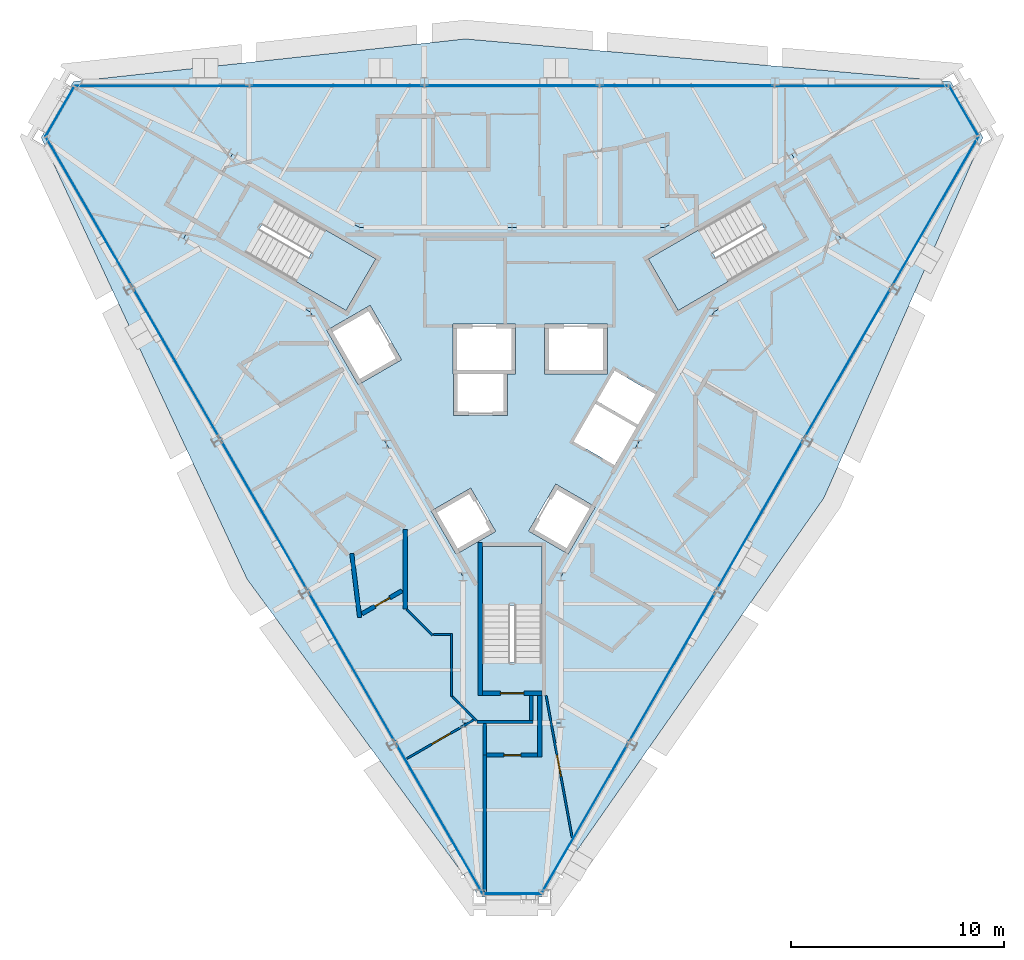
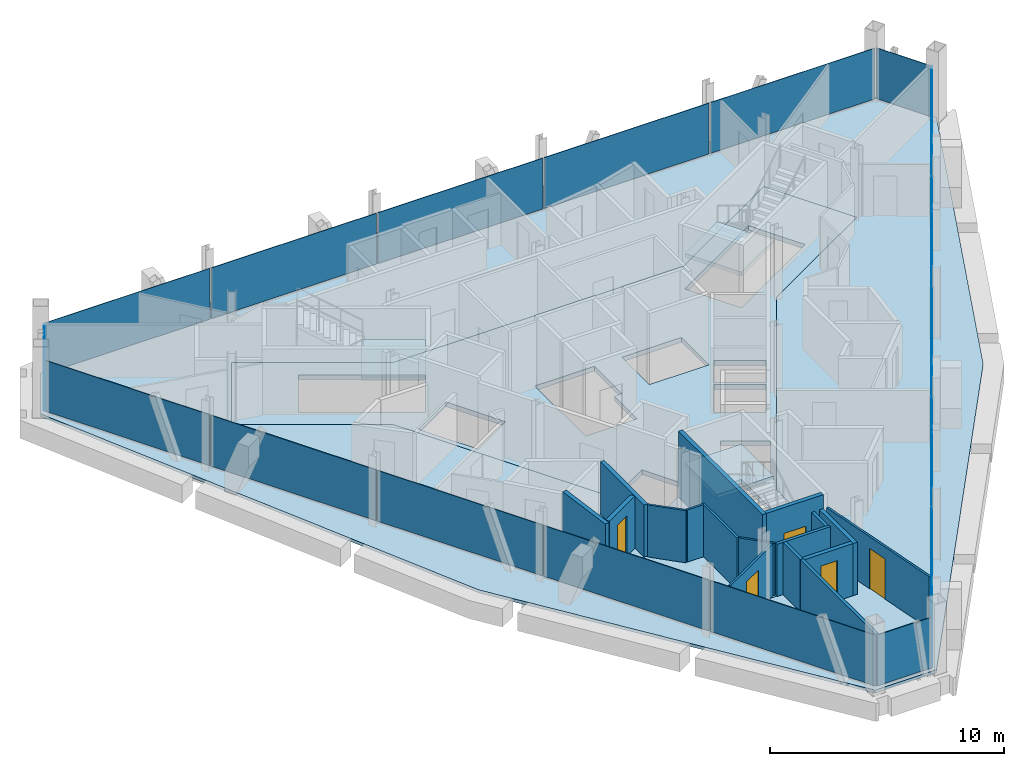
# One storey, part 7 of 13: 18 plates, 17 walls, 5 doors, 5 slabs, 5 openings, 9 elements without a shape of their own.
"""IFC4 building model written with IfcOpenShell, lengths in metres."""

from ifc_helpers import new_model, si_unit, direction, frame, frame_2d, origin, origin_2d, place, context, subcontext, project, spatial, polyline, rectangle, outline, extrude, material, layer, layer_set, type_object, element, fill, aggregate, save


model = new_model("IFC4")

# Units and contexts
model_context = context("Model", 3, precision=1e-05, world=origin(), true_north=direction((0.0, 1.0)))
body_context = subcontext(model_context, "Body", "Model", "MODEL_VIEW")
ifc_project = project(units=[si_unit("LENGTHUNIT", "METRE"), si_unit("AREAUNIT", "SQUARE_METRE"), si_unit("VOLUMEUNIT", "CUBIC_METRE"), si_unit("PLANEANGLEUNIT", "RADIAN"), si_unit("MASSUNIT", "GRAM", prefix="KILO")], contexts=[model_context])

# Site, building, storey
site_placement = place(None, origin())
site = spatial("IfcSite", under=ifc_project, at=site_placement, CompositionType="ELEMENT")
building_placement = place(site_placement, origin())
building = spatial("IfcBuilding", under=site, at=building_placement, Name="Verrane Prism Tower", CompositionType="ELEMENT")
storey_placement = place(building_placement, frame((0.0, 0.0, 289.89990234375)))
storey = spatial("IfcBuildingStorey", under=building, at=storey_placement, Name="L73", CompositionType="ELEMENT", Elevation=289.89990234375)

# Slabs
ifc_material_1 = material(Name="Concrete C35/45", Category="concrete")
ifc_layer_1 = layer(ifc_material_1, 0.159912109375)
ifc_layer_set_1 = layer_set([ifc_layer_1], Name="Composite floor slab")
slab_type_1 = type_object("IfcSlabType", Name="Composite floor slab", PredefinedType="FLOOR", material=ifc_layer_set_1)
slab_1_placement = place(storey_placement, frame((0.0, 0.0, -0.159912109375)))
element("IfcSlab", 1, at=slab_1_placement, inside=storey, type_object=slab_type_1, Name="Floor slab L73", PredefinedType="FLOOR", context=body_context, shape_type="SweptSolid", body=[
    extrude(outline(polyline([(14.652099609375, -5.921630859375), (1.51904296875, -24.6689453125), (-1.51904296875, -24.6689453125), (-12.454345703125, -9.728515625), (-22.12353515625, 11.01904296875), (-20.6044921875, 13.64990234375), (-2.19775390625, 15.64990234375), (20.6044921875, 13.64990234375), (22.12353515625, 11.01904296875), (14.652099609375, -5.921630859375)]), holes=[polyline([(15.43994140625, 6.260009765625), (13.139892578125, 10.239990234375), (7.179931640625, 6.800048828125), (0.0, 6.800048828125), (-7.179931640625, 6.800048828125), (-13.139892578125, 10.239990234375), (-15.43994140625, 6.260009765625), (-9.47998046875, 2.820068359375), (-5.889892578125, -3.39990234375), (-2.300048828125, -9.6201171875), (-2.300048828125, -16.5), (2.300048828125, -16.5), (2.300048828125, -9.6201171875), (5.889892578125, -3.39990234375), (9.47998046875, 2.820068359375), (15.43994140625, 6.260009765625)])]), origin(), (0.0, 0.0, 1.0), 0.159912109375),
])
ifc_material_2 = material(Name="Concrete C40/50", Category="concrete")
ifc_layer_2 = layer(ifc_material_2, 0.25)
ifc_layer_set_2 = layer_set([ifc_layer_2], Name="Core floor slab 250 concrete C40/50")
slab_type_2 = type_object("IfcSlabType", Name="Core floor slab 250 concrete C40/50", PredefinedType="FLOOR", material=ifc_layer_set_2)
slab_2_placement = place(storey_placement, frame((0.0, 0.0, -0.25)))
element("IfcSlab", 2, at=slab_2_placement, inside=storey, type_object=slab_type_2, Name="Core floor L73", PredefinedType="FLOOR", context=body_context, shape_type="SweptSolid", body=[
    extrude(outline(polyline([(9.47998046875, 2.820068359375), (15.43994140625, 6.260009765625), (13.139892578125, 10.239990234375), (7.179931640625, 6.800048828125), (0.0, 6.800048828125), (-7.179931640625, 6.800048828125), (-13.139892578125, 10.239990234375), (-15.43994140625, 6.260009765625), (-9.47998046875, 2.820068359375), (-5.889892578125, -3.39990234375), (-2.300048828125, -9.6201171875), (-2.300048828125, -16.5), (2.300048828125, -16.5), (2.300048828125, -9.6201171875), (5.889892578125, -3.39990234375), (9.47998046875, 2.820068359375)]), holes=[polyline([(-1.39990234375, -8.199951171875), (1.39990234375, -8.199951171875), (1.39990234375, -13.639892578125), (-1.39990234375, -13.639892578125), (-1.39990234375, -8.199951171875)]), polyline([(-0.76708984375, -7.491943359375), (-2.62890625, -8.56689453125), (-3.803955078125, -6.531982421875), (-1.94189453125, -5.45703125), (-0.76708984375, -7.491943359375)]), polyline([(3.9140625, -6.341064453125), (2.638916015625, -8.550048828125), (0.777099609375, -7.47509765625), (2.052001953125, -5.26611328125), (3.9140625, -6.341064453125)]), polyline([(4.81494140625, -4.37890625), (2.888916015625, -3.26708984375), (3.9130859375, -1.490966796875), (5.841064453125, -2.60302734375), (4.81494140625, -4.37890625)]), polyline([(6.739990234375, -1.044921875), (5.916015625, -2.47412109375), (3.988037109375, -1.361083984375), (4.81396484375, 0.06689453125), (6.739990234375, -1.044921875)]), polyline([(-2.784912109375, -0.10009765625), (-2.784912109375, 2.25), (0.1650390625, 2.25), (0.1650390625, -0.10009765625), (-0.205078125, -0.10009765625), (-0.205078125, -2.050048828125), (-2.7548828125, -2.050048828125), (-2.7548828125, -0.10009765625), (-2.784912109375, -0.10009765625)]), polyline([(4.47509765625, 2.25), (4.47509765625, -0.10009765625), (1.52490234375, -0.10009765625), (1.52490234375, 2.25), (4.47509765625, 2.25)]), polyline([(-8.7041015625, 1.955078125), (-6.66796875, 3.1298828125), (-5.193115234375, 0.574951171875), (-7.22900390625, -0.60009765625), (-8.7041015625, 1.955078125)]), polyline([(-7.801025390625, 2.887939453125), (-12.512939453125, 5.60791015625), (-11.113037109375, 8.031982421875), (-6.40087890625, 5.31201171875), (-7.801025390625, 2.887939453125)]), polyline([(6.40087890625, 5.31201171875), (11.113037109375, 8.031982421875), (12.512939453125, 5.60791015625), (7.801025390625, 2.887939453125), (6.40087890625, 5.31201171875)])]), origin(), (0.0, 0.0, 1.0), 0.25),
])

# Curtain wall, plate
ifc_material_3 = material(Name="Aluminium framed insulated glazing", Category="aluminium")
curtain_wall_type = type_object("IfcCurtainWallType", Name="Curtain wall CW-A 8400 module", PredefinedType="NOTDEFINED", material=ifc_material_3)
curtain_wall_1_placement = place(storey_placement, origin())
curtain_wall_1 = element("IfcCurtainWall", 3, at=curtain_wall_1_placement, inside=storey, type_object=curtain_wall_type, Name="Glazed curtain wall north-east corner L73", PredefinedType="NOTDEFINED")
ifc_material_4 = material(Name="Low-iron insulating glass unit", Category="glass")
ifc_layer_3 = layer(ifc_material_4, 0.031982421875)
ifc_layer_set_3 = layer_set([ifc_layer_3], Name="Glazing panel IGU 32")
plate_type_1 = type_object("IfcPlateType", Name="Glazing panel IGU 32", PredefinedType="CURTAIN_PANEL", material=ifc_layer_set_3)
plate_1_placement = place(storey_placement, frame((21.21484375, 12.288818359375, 0.0703125), z_axis=(0.0, 0.0, 1.0), x_axis=(-0.500002040855, 0.866024225493, 0.0)))
plate_1 = element("IfcPlate", 4, at=plate_1_placement, type_object=plate_type_1, Name="CW72.1 panel 1", PredefinedType="CURTAIN_PANEL", context=body_context, shape_type="SweptSolid", body=[
    extrude(rectangle(XDim=2.67529296875, YDim=0.031982421875, at=origin_2d()), origin(), (0.0, 0.0, 1.0), 2.653076171875),
])
aggregate(curtain_wall_1, [plate_1])

# Curtain wall, plates
curtain_wall_2_placement = place(storey_placement, origin())
curtain_wall_2 = element("IfcCurtainWall", 5, at=curtain_wall_2_placement, inside=storey, type_object=curtain_wall_type, Name="Glazed curtain wall north face L73", PredefinedType="NOTDEFINED")
plate_2_placement = place(storey_placement, frame((8.218505859375, 13.447265625, 0.0703125), z_axis=(0.0, 0.0, 1.0), x_axis=(-1.0, 0.0, 0.0)))
plate_2 = element("IfcPlate", 6, at=plate_2_placement, type_object=plate_type_1, Name="CW72.2 panel 2", PredefinedType="CURTAIN_PANEL", context=body_context, shape_type="SweptSolid", body=[
    extrude(rectangle(XDim=8.1484375, YDim=0.031982421875, at=origin_2d()), origin(), (0.0, 0.0, 1.0), 2.653076171875),
])
plate_3_placement = place(storey_placement, frame((0.0, 13.447265625, 0.0703125), z_axis=(0.0, 0.0, 1.0), x_axis=(-1.0, 0.0, 0.0)))
plate_3 = element("IfcPlate", 7, at=plate_3_placement, type_object=plate_type_1, Name="CW72.2 panel 3", PredefinedType="CURTAIN_PANEL", context=body_context, shape_type="SweptSolid", body=[
    extrude(rectangle(XDim=8.1484375, YDim=0.031982421875, at=origin_2d()), origin(), (0.0, 0.0, 1.0), 2.653076171875),
])
plate_4_placement = place(storey_placement, frame((-8.218505859375, 13.447265625, 0.0703125), z_axis=(0.0, 0.0, 1.0), x_axis=(-1.0, 0.0, 0.0)))
plate_4 = element("IfcPlate", 8, at=plate_4_placement, type_object=plate_type_1, Name="CW72.2 panel 4", PredefinedType="CURTAIN_PANEL", context=body_context, shape_type="SweptSolid", body=[
    extrude(rectangle(XDim=8.1484375, YDim=0.031982421875, at=origin_2d()), origin(), (0.0, 0.0, 1.0), 2.653076171875),
])

# Curtain wall, plate
curtain_wall_3_placement = place(storey_placement, origin())
curtain_wall_3 = element("IfcCurtainWall", 9, at=curtain_wall_3_placement, inside=storey, type_object=curtain_wall_type, Name="Glazed curtain wall north-west corner L73", PredefinedType="NOTDEFINED")
plate_5_placement = place(storey_placement, frame((-21.25, 12.228271484375, 0.0703125), z_axis=(0.0, 0.0, 1.0), x_axis=(-0.500002040855, -0.866024225493, 0.0)))
plate_5 = element("IfcPlate", 10, at=plate_5_placement, type_object=plate_type_1, Name="CW72.3 panel 1", PredefinedType="CURTAIN_PANEL", context=body_context, shape_type="SweptSolid", body=[
    extrude(rectangle(XDim=2.67529296875, YDim=0.031982421875, at=origin_2d()), origin(), (0.0, 0.0, 1.0), 2.653076171875),
])
aggregate(curtain_wall_3, [plate_5])

# Curtain wall, plates
curtain_wall_4_placement = place(storey_placement, origin())
curtain_wall_4 = element("IfcCurtainWall", 11, at=curtain_wall_4_placement, inside=storey, type_object=curtain_wall_type, Name="Glazed curtain wall south-west face L73", PredefinedType="NOTDEFINED")
plate_6_placement = place(storey_placement, frame((-19.855224609375, 7.495849609375, 0.0703125), z_axis=(0.0, 0.0, 1.0), x_axis=(0.500000938868, -0.866024861728, 0.0)))
plate_6 = element("IfcPlate", 12, at=plate_6_placement, type_object=plate_type_1, Name="CW72.4 panel 1", PredefinedType="CURTAIN_PANEL", context=body_context, shape_type="SweptSolid", body=[
    extrude(rectangle(XDim=8.113525390625, YDim=0.031982421875, at=origin_2d()), origin(), (0.0, 0.0, 1.0), 2.653076171875),
])
plate_7_placement = place(storey_placement, frame((-15.7548828125, 0.393798828125, 0.0703125), z_axis=(0.0, 0.0, 1.0), x_axis=(0.500000938868, -0.866024861728, 0.0)))
plate_7 = element("IfcPlate", 13, at=plate_7_placement, type_object=plate_type_1, Name="CW72.4 panel 2", PredefinedType="CURTAIN_PANEL", context=body_context, shape_type="SweptSolid", body=[
    extrude(rectangle(XDim=8.1484375, YDim=0.031982421875, at=origin_2d()), origin(), (0.0, 0.0, 1.0), 2.653076171875),
])
plate_8_placement = place(storey_placement, frame((-11.645751953125, -6.7236328125, 0.0703125), z_axis=(0.0, 0.0, 1.0), x_axis=(0.500000938868, -0.866024861728, 0.0)))
plate_8 = element("IfcPlate", 14, at=plate_8_placement, type_object=plate_type_1, Name="CW72.4 panel 3", PredefinedType="CURTAIN_PANEL", context=body_context, shape_type="SweptSolid", body=[
    extrude(rectangle(XDim=8.1484375, YDim=0.031982421875, at=origin_2d()), origin(), (0.0, 0.0, 1.0), 2.653076171875),
])
plate_9_placement = place(storey_placement, frame((-7.536376953125, -13.841064453125, 0.0703125), z_axis=(0.0, 0.0, 1.0), x_axis=(0.500000938868, -0.866024861728, 0.0)))
plate_9 = element("IfcPlate", 15, at=plate_9_placement, type_object=plate_type_1, Name="CW72.4 panel 4", PredefinedType="CURTAIN_PANEL", context=body_context, shape_type="SweptSolid", body=[
    extrude(rectangle(XDim=8.1484375, YDim=0.031982421875, at=origin_2d()), origin(), (0.0, 0.0, 1.0), 2.653076171875),
])
plate_10_placement = place(storey_placement, frame((-3.41845703125, -20.973388671875, 0.0703125), z_axis=(0.0, 0.0, 1.0), x_axis=(0.500000938868, -0.866024861728, 0.0)))
plate_10 = element("IfcPlate", 16, at=plate_10_placement, type_object=plate_type_1, Name="CW72.4 panel 5", PredefinedType="CURTAIN_PANEL", context=body_context, shape_type="SweptSolid", body=[
    extrude(rectangle(XDim=8.183349609375, YDim=0.031982421875, at=origin_2d()), origin(), (0.0, 0.0, 1.0), 2.653076171875),
])
aggregate(curtain_wall_4, [plate_6, plate_7, plate_8, plate_9, plate_10])

# Curtain wall, plate
curtain_wall_5_placement = place(storey_placement, origin())
curtain_wall_5 = element("IfcCurtainWall", 17, at=curtain_wall_5_placement, inside=storey, type_object=curtain_wall_type, Name="Glazed curtain wall south corner L73", PredefinedType="NOTDEFINED")
plate_11_placement = place(storey_placement, frame((0.034912109375, -24.51708984375, 0.0703125), z_axis=(0.0, 0.0, 1.0), x_axis=(1.0, 0.0, 0.0)))
plate_11 = element("IfcPlate", 18, at=plate_11_placement, type_object=plate_type_1, Name="CW72.5 panel 1", PredefinedType="CURTAIN_PANEL", context=body_context, shape_type="SweptSolid", body=[
    extrude(rectangle(XDim=2.67529296875, YDim=0.031982421875, at=origin_2d()), origin(), (0.0, 0.0, 1.0), 2.653076171875),
])
aggregate(curtain_wall_5, [plate_11])

# Curtain wall, plates
curtain_wall_6_placement = place(storey_placement, origin())
curtain_wall_6 = element("IfcCurtainWall", 19, at=curtain_wall_6_placement, inside=storey, type_object=curtain_wall_type, Name="Glazed curtain wall south-east face L73", PredefinedType="NOTDEFINED")
plate_12_placement = place(storey_placement, frame((7.536376953125, -13.841064453125, 0.0703125), z_axis=(0.0, 0.0, 1.0), x_axis=(0.500000938868, 0.866024861728, 0.0)))
plate_12 = element("IfcPlate", 20, at=plate_12_placement, type_object=plate_type_1, Name="CW72.6 panel 2", PredefinedType="CURTAIN_PANEL", context=body_context, shape_type="SweptSolid", body=[
    extrude(rectangle(XDim=8.1484375, YDim=0.031982421875, at=origin_2d()), origin(), (0.0, 0.0, 1.0), 2.653076171875),
])
plate_13_placement = place(storey_placement, frame((11.645751953125, -6.7236328125, 0.0703125), z_axis=(0.0, 0.0, 1.0), x_axis=(0.500000938868, 0.866024861728, 0.0)))
plate_13 = element("IfcPlate", 21, at=plate_13_placement, type_object=plate_type_1, Name="CW72.6 panel 3", PredefinedType="CURTAIN_PANEL", context=body_context, shape_type="SweptSolid", body=[
    extrude(rectangle(XDim=8.1484375, YDim=0.031982421875, at=origin_2d()), origin(), (0.0, 0.0, 1.0), 2.653076171875),
])
plate_14_placement = place(storey_placement, frame((15.7548828125, 0.393798828125, 0.0703125), z_axis=(0.0, 0.0, 1.0), x_axis=(0.500000938868, 0.866024861728, 0.0)))
plate_14 = element("IfcPlate", 22, at=plate_14_placement, type_object=plate_type_1, Name="CW72.6 panel 4", PredefinedType="CURTAIN_PANEL", context=body_context, shape_type="SweptSolid", body=[
    extrude(rectangle(XDim=8.1484375, YDim=0.031982421875, at=origin_2d()), origin(), (0.0, 0.0, 1.0), 2.653076171875),
])
plate_15_placement = place(storey_placement, frame((19.872802734375, 7.5263671875, 0.0703125), z_axis=(0.0, 0.0, 1.0), x_axis=(0.500000938868, 0.866024861728, 0.0)))
plate_15 = element("IfcPlate", 23, at=plate_15_placement, type_object=plate_type_1, Name="CW72.6 panel 5", PredefinedType="CURTAIN_PANEL", context=body_context, shape_type="SweptSolid", body=[
    extrude(rectangle(XDim=8.183349609375, YDim=0.031982421875, at=origin_2d()), origin(), (0.0, 0.0, 1.0), 2.653076171875),
])

# Stair, slab
ifc_material_5 = material(Name="Concrete C40/50", Category="concrete")
stair_type = type_object("IfcStairType", Name="Exit stair 1300 dog-leg precast concrete C40/50", PredefinedType="HALF_TURN_STAIR", material=ifc_material_5)
stair_1_placement = place(storey_placement, origin())
stair_1 = element("IfcStair", 24, at=stair_1_placement, inside=storey, type_object=stair_type, Name="Stair 1 L73", PredefinedType="HALF_TURN_STAIR")
ifc_material_6 = material(Name="Concrete C40/50", Category="concrete")
ifc_layer_4 = layer(ifc_material_6, 0.199951171875)
ifc_layer_set_4 = layer_set([ifc_layer_4], Name="Stair landing 200 precast concrete C40/50")
slab_type_3 = type_object("IfcSlabType", Name="Stair landing 200 precast concrete C40/50", PredefinedType="LANDING", material=ifc_layer_set_4)
slab_3_placement = place(storey_placement, frame((0.0, 0.0, 1.650146484375)))
slab_3 = element("IfcSlab", 25, at=slab_3_placement, type_object=slab_type_3, Name="Stair 1 landing 1", PredefinedType="LANDING", context=body_context, shape_type="SweptSolid", body=[
    extrude(outline(polyline([(8.791748046875, 6.6923828125), (6.4013671875, 5.3125), (7.801513671875, 2.887451171875), (10.191650390625, 4.267578125), (8.791748046875, 6.6923828125)])), origin(), (0.0, 0.0, 1.0), 0.199951171875),
])
aggregate(stair_1, [slab_3])

stair_2_placement = place(storey_placement, origin())
stair_2 = element("IfcStair", 26, at=stair_2_placement, inside=storey, type_object=stair_type, Name="Stair 2 L73", PredefinedType="HALF_TURN_STAIR")
slab_4_placement = place(storey_placement, frame((0.0, 0.0, 1.650146484375)))
slab_4 = element("IfcSlab", 27, at=slab_4_placement, type_object=slab_type_3, Name="Stair 2 landing 1", PredefinedType="LANDING", context=body_context, shape_type="SweptSolid", body=[
    extrude(outline(polyline([(-10.191650390625, 4.267578125), (-7.801513671875, 2.887451171875), (-6.4013671875, 5.3125), (-8.791748046875, 6.6923828125), (-10.191650390625, 4.267578125)])), origin(), (0.0, 0.0, 1.0), 0.199951171875),
])
aggregate(stair_2, [slab_4])

stair_3_placement = place(storey_placement, origin())
stair_3 = element("IfcStair", 28, at=stair_3_placement, inside=storey, type_object=stair_type, Name="Stair 3 L73", PredefinedType="HALF_TURN_STAIR")
slab_5_placement = place(storey_placement, frame((0.0, 0.0, 1.650146484375)))
slab_5 = element("IfcSlab", 29, at=slab_5_placement, type_object=slab_type_3, Name="Stair 3 landing 1", PredefinedType="LANDING", context=body_context, shape_type="SweptSolid", body=[
    extrude(outline(polyline([(1.39990234375, -10.9599609375), (1.39990234375, -8.199951171875), (-1.39990234375, -8.199951171875), (-1.39990234375, -10.9599609375), (1.39990234375, -10.9599609375)])), origin(), (0.0, 0.0, 1.0), 0.199951171875),
])
aggregate(stair_3, [slab_5])

# Plate
ifc_material_7 = material(Name="Warm limestone cladding", Category="masonry")
ifc_layer_5 = layer(ifc_material_7, 0.028076171875)
ifc_layer_set_5 = layer_set([ifc_layer_5], Name="Stone-faced spandrel panel 28")
plate_type_2 = type_object("IfcPlateType", Name="Stone-faced spandrel panel 28", PredefinedType="CURTAIN_PANEL", material=ifc_layer_set_5)
plate_16_placement = place(storey_placement, frame((16.41943359375, 13.447265625, 0.0703125), z_axis=(0.0, 0.0, 1.0), x_axis=(-1.0, 0.0, 0.0)))
plate_16 = element("IfcPlate", 30, at=plate_16_placement, type_object=plate_type_2, Name="CW72.2 panel 1", PredefinedType="CURTAIN_PANEL", context=body_context, shape_type="SweptSolid", body=[
    extrude(rectangle(XDim=8.113525390625, YDim=0.028076171875, at=origin_2d()), origin(), (0.0, 0.0, 1.0), 2.653076171875),
])

plate_17_placement = place(storey_placement, frame((-16.454345703125, 13.447265625, 0.0703125), z_axis=(0.0, 0.0, 1.0), x_axis=(-1.0, 0.0, 0.0)))
plate_17 = element("IfcPlate", 31, at=plate_17_placement, type_object=plate_type_2, Name="CW72.2 panel 5", PredefinedType="CURTAIN_PANEL", context=body_context, shape_type="SweptSolid", body=[
    extrude(rectangle(XDim=8.183349609375, YDim=0.028076171875, at=origin_2d()), origin(), (0.0, 0.0, 1.0), 2.653076171875),
])

aggregate(curtain_wall_2, [plate_16, plate_2, plate_3, plate_4, plate_17])

plate_18_placement = place(storey_placement, frame((3.43603515625, -20.943115234375, 0.0703125), z_axis=(0.0, 0.0, 1.0), x_axis=(0.500000938868, 0.866024861728, 0.0)))
plate_18 = element("IfcPlate", 32, at=plate_18_placement, type_object=plate_type_2, Name="CW72.6 panel 1", PredefinedType="CURTAIN_PANEL", context=body_context, shape_type="SweptSolid", body=[
    extrude(rectangle(XDim=8.113525390625, YDim=0.028076171875, at=origin_2d()), origin(), (0.0, 0.0, 1.0), 2.653076171875),
])

aggregate(curtain_wall_6, [plate_18, plate_12, plate_13, plate_14, plate_15])

# Wall, opening, door
ifc_material_8 = material(Name="Concrete C40/50", Category="concrete")
ifc_layer_6 = layer(ifc_material_8, 0.199951171875)
ifc_layer_set_6 = layer_set([ifc_layer_6], Name="CW-200 stair core wall concrete C40/50 3 h")
wall_type_1 = type_object("IfcWallType", Name="CW-200 stair core wall concrete C40/50 3 h", PredefinedType="PARTITIONING", material=ifc_layer_set_6)
wall_1_placement = place(storey_placement, frame((-1.39990234375, -15.10009765625, 0.0), z_axis=(0.0, 0.0, 1.0), x_axis=(1.0, 0.0, 0.0)))
wall_1 = element("IfcWall", 33, at=wall_1_placement, inside=storey, type_object=wall_type_1, Name="Stair 3 enclosure wall", PredefinedType="PARTITIONING", context=body_context, shape_type="SweptSolid", body=[
    extrude(rectangle(XDim=2.7998046875, YDim=0.199951171875, at=frame_2d((1.39990234375, 0.0))), origin(), (0.0, 0.0, 1.0), 3.4501953125),
])
opening_1_placement = place(wall_1_placement, frame((0.85009765625, 0.0, 0.0)))
opening_1 = element("IfcOpeningElement", 34, at=opening_1_placement, cuts=wall_1, Name="Opening D72502", PredefinedType="OPENING", context=body_context, shape_type="SweptSolid", body=[
    extrude(rectangle(XDim=1.10009765625, YDim=2.10009765625, at=frame_2d((0.550048828125, 1.050048828125))), frame((0.0, 0.10986328125, 0.0), z_axis=(0.0, -1.0, 0.0), x_axis=(1.0, 0.0, 0.0)), (0.0, 0.0, 1.0), 0.219970703125),
])
ifc_material_9 = material(Name="Timber veneered door leaf", Category="wood")
door_type_1 = type_object("IfcDoorType", Name="DR-1100x2100 FD90 single leaf stair", OperationType="NOTDEFINED", PredefinedType="DOOR", material=ifc_material_9)
door_1_placement = place(opening_1_placement, origin())
door_1 = element("IfcDoor", 35, at=door_1_placement, inside=storey, type_object=door_type_1, Name="Stair 3 door", OperationType="SINGLE_SWING_LEFT", OverallHeight=2.10009765625, OverallWidth=1.10009765625, PredefinedType="DOOR", context=body_context, shape_type="SweptSolid", body=[
    extrude(rectangle(XDim=1.10009765625, YDim=2.10009765625, at=frame_2d((0.550048828125, 1.050048828125))), frame((0.0, 0.02490234375, 0.0), z_axis=(0.0, -1.0, 0.0), x_axis=(1.0, 0.0, 0.0)), (0.0, 0.0, 1.0), 0.050048828125),
])
fill(opening_1, door_1)

# Walls
wall_2_placement = place(storey_placement, frame((-1.5, -8.0, 0.0), z_axis=(0.0, 0.0, 1.0), x_axis=(0.0, -1.0, 0.0)))
element("IfcWall", 36, at=wall_2_placement, inside=storey, type_object=wall_type_1, Name="Stair 3 enclosure wall", PredefinedType="PARTITIONING", context=body_context, shape_type="SweptSolid", body=[
    extrude(rectangle(XDim=7.199951171875, YDim=0.199951171875, at=frame_2d((3.60009765625, 0.0))), origin(), (0.0, 0.0, 1.0), 3.4501953125),
])
ifc_material_10 = material(Name="Gypsum board partition", Category="other")
ifc_layer_7 = layer(ifc_material_10, 0.10009765625)
ifc_layer_set_7 = layer_set([ifc_layer_7], Name="PW-100 room partition")
wall_type_2 = type_object("IfcWallType", Name="PW-100 room partition", PredefinedType="PARTITIONING", material=ifc_layer_set_7)
wall_3_placement = place(storey_placement, frame((-4.94482421875, -11.163330078125, 0.0), z_axis=(0.0, 0.0, 1.0), x_axis=(0.707178051335, -0.707035503854, 0.0)))
element("IfcWall", 37, at=wall_3_placement, inside=storey, type_object=wall_type_2, Name="Room partition 028", PredefinedType="PARTITIONING", context=body_context, shape_type="SweptSolid", body=[
    extrude(rectangle(XDim=1.712646484375, YDim=0.10009765625, at=frame_2d((0.8564453125, 0.0))), origin(), (0.0, 0.0, 1.0), 2.72314453125),
])

# Wall, opening, door
wall_4_placement = place(storey_placement, frame((-1.79345703125, -16.345703125, 0.0), z_axis=(0.0, 0.0, 1.0), x_axis=(-0.86592535605, -0.500173247735, 0.0)))
wall_4 = element("IfcWall", 38, at=wall_4_placement, inside=storey, type_object=wall_type_2, Name="Room partition 029", PredefinedType="PARTITIONING", context=body_context, shape_type="SweptSolid", body=[
    extrude(rectangle(XDim=3.625244140625, YDim=0.10009765625, at=frame_2d((1.8125, 0.0))), origin(), (0.0, 0.0, 1.0), 2.72314453125),
])
opening_2_placement = place(wall_4_placement, frame((1.271484375, 0.0, 0.0)))
opening_2 = element("IfcOpeningElement", 39, at=opening_2_placement, cuts=wall_4, Name="Opening D72025", PredefinedType="OPENING", context=body_context, shape_type="SweptSolid", body=[
    extrude(rectangle(XDim=1.0, YDim=2.10009765625, at=frame_2d((0.5, 1.050048828125))), frame((0.0, 0.06005859375, 0.0), z_axis=(0.0, -1.0, 0.0), x_axis=(1.0, 0.0, 0.0)), (0.0, 0.0, 1.0), 0.1201171875),
])
ifc_material_11 = material(Name="Timber veneered door leaf", Category="wood")
door_type_2 = type_object("IfcDoorType", Name="DR-1000x2100 single leaf inner", OperationType="NOTDEFINED", PredefinedType="DOOR", material=ifc_material_11)
door_2_placement = place(opening_2_placement, origin())
door_2 = element("IfcDoor", 40, at=door_2_placement, inside=storey, type_object=door_type_2, Name="Living And Dining Room door", OperationType="SINGLE_SWING_RIGHT", OverallHeight=2.10009765625, OverallWidth=1.0, PredefinedType="DOOR", context=body_context, shape_type="SweptSolid", body=[
    extrude(rectangle(XDim=1.0, YDim=2.10009765625, at=frame_2d((0.5, 1.050048828125))), frame((0.0, 0.02490234375, 0.0), z_axis=(0.0, -1.0, 0.0), x_axis=(1.0, 0.0, 0.0)), (0.0, 0.0, 1.0), 0.050048828125),
])
fill(opening_2, door_2)

# Walls
wall_5_placement = place(storey_placement, frame((-3.698974609375, -12.339111328125, 0.0), z_axis=(0.0, 0.0, 1.0), x_axis=(1.0, 0.0, 0.0)))
element("IfcWall", 41, at=wall_5_placement, inside=storey, type_object=wall_type_2, Name="Room partition 030", PredefinedType="PARTITIONING", context=body_context, shape_type="SweptSolid", body=[
    extrude(rectangle(XDim=0.799072265625, YDim=0.10009765625, at=frame_2d((0.3994140625, 0.0))), origin(), (0.0, 0.0, 1.0), 2.72314453125),
])
wall_6_placement = place(storey_placement, frame((-2.85009765625, -15.25, 0.0), z_axis=(0.0, 0.0, 1.0), x_axis=(0.0, 1.0, 0.0)))
element("IfcWall", 42, at=wall_6_placement, inside=storey, type_object=wall_type_2, Name="Room partition 033", PredefinedType="PARTITIONING", context=body_context, shape_type="SweptSolid", body=[
    extrude(rectangle(XDim=2.9609375, YDim=0.10009765625, at=frame_2d((1.48046875, 0.0))), origin(), (0.0, 0.0, 1.0), 2.72314453125),
])
wall_7_placement = place(storey_placement, frame((-2.800537109375, -15.24951171875, 0.0), z_axis=(0.0, 0.0, 1.0), x_axis=(0.707106781187, -0.707106781187, 0.0)))
element("IfcWall", 43, at=wall_7_placement, inside=storey, type_object=wall_type_2, Name="Room partition 034", PredefinedType="PARTITIONING", context=body_context, shape_type="SweptSolid", body=[
    extrude(rectangle(XDim=1.60791015625, YDim=0.10009765625, at=frame_2d((0.803955078125, 0.0))), origin(), (0.0, 0.0, 1.0), 2.72314453125),
])

# Wall, opening, door
wall_8_placement = place(storey_placement, frame((2.82275390625, -21.869384765625, 0.0), z_axis=(0.0, 0.0, 1.0), x_axis=(-0.180317418333, 0.983608473248, 0.0)))
wall_8 = element("IfcWall", 44, at=wall_8_placement, inside=storey, type_object=wall_type_2, Name="Room partition 045", PredefinedType="PARTITIONING", context=body_context, shape_type="SweptSolid", body=[
    extrude(rectangle(XDim=6.780517578125, YDim=0.10009765625, at=frame_2d((3.39013671875, 0.0))), origin(), (0.0, 0.0, 1.0), 2.72314453125),
])
opening_3_placement = place(wall_8_placement, frame((2.9306640625, 0.0, 0.0)))
opening_3 = element("IfcOpeningElement", 45, at=opening_3_placement, cuts=wall_8, Name="Opening D72003", PredefinedType="OPENING", context=body_context, shape_type="SweptSolid", body=[
    extrude(rectangle(XDim=1.0, YDim=2.10009765625, at=frame_2d((0.5, 1.050048828125))), frame((0.0, 0.06005859375, 0.0), z_axis=(0.0, -1.0, 0.0), x_axis=(1.0, 0.0, 0.0)), (0.0, 0.0, 1.0), 0.1201171875),
])
door_3_placement = place(opening_3_placement, origin())
door_3 = element("IfcDoor", 46, at=door_3_placement, inside=storey, type_object=door_type_2, Name="Living And Dining Room door", OperationType="SINGLE_SWING_RIGHT", OverallHeight=2.10009765625, OverallWidth=1.0, PredefinedType="DOOR", context=body_context, shape_type="SweptSolid", body=[
    extrude(rectangle(XDim=1.0, YDim=2.10009765625, at=frame_2d((0.5, 1.050048828125))), frame((0.0, 0.02490234375, 0.0), z_axis=(0.0, -1.0, 0.0), x_axis=(1.0, 0.0, 0.0)), (0.0, 0.0, 1.0), 0.050048828125),
])
fill(opening_3, door_3)

# Walls
ifc_material_12 = material(Name="Gypsum board partition", Category="other")
ifc_layer_8 = layer(ifc_material_12, 0.14990234375)
ifc_layer_set_8 = layer_set([ifc_layer_8], Name="PW-150 demising wall 1 h")
wall_type_3 = type_object("IfcWallType", Name="PW-150 demising wall 1 h", PredefinedType="PARTITIONING", material=ifc_layer_set_8)
wall_9_placement = place(storey_placement, frame((-1.64990234375, -16.449951171875, 0.0), z_axis=(0.0, 0.0, 1.0), x_axis=(1.0, 0.0, 0.0)))
element("IfcWall", 47, at=wall_9_placement, inside=storey, type_object=wall_type_3, Name="Demising wall 035", PredefinedType="PARTITIONING", context=body_context, shape_type="SweptSolid", body=[
    extrude(rectangle(XDim=2.625, YDim=0.14990234375, at=frame_2d((1.3125, 0.0))), origin(), (0.0, 0.0, 1.0), 2.72314453125),
])
wall_10_placement = place(storey_placement, frame((-1.285888671875, -24.4208984375, 0.0), z_axis=(0.0, 0.0, 1.0), x_axis=(0.0, 1.0, 0.0)))
element("IfcWall", 48, at=wall_10_placement, inside=storey, type_object=wall_type_3, Name="Demising wall 036", PredefinedType="PARTITIONING", context=body_context, shape_type="SweptSolid", body=[
    extrude(rectangle(XDim=6.416015625, YDim=0.14990234375, at=frame_2d((3.2080078125, 0.0))), origin(), (0.0, 0.0, 1.0), 2.72314453125),
])
wall_11_placement = place(storey_placement, frame((-1.285888671875, -18.0, 0.0), z_axis=(0.0, 0.0, 1.0), x_axis=(0.0, 1.0, 0.0)))
element("IfcWall", 49, at=wall_11_placement, inside=storey, type_object=wall_type_3, Name="Demising wall 037", PredefinedType="PARTITIONING", context=body_context, shape_type="SweptSolid", body=[
    extrude(rectangle(XDim=1.47509765625, YDim=0.14990234375, at=frame_2d((0.737548828125, 0.0))), origin(), (0.0, 0.0, 1.0), 2.72314453125),
])
wall_12_placement = place(storey_placement, frame((0.89990234375, -16.375, 0.0), z_axis=(0.0, 0.0, 1.0), x_axis=(0.0, 1.0, 0.0)))
element("IfcWall", 50, at=wall_12_placement, inside=storey, type_object=wall_type_3, Name="Demising wall 041", PredefinedType="PARTITIONING", context=body_context, shape_type="SweptSolid", body=[
    extrude(rectangle(XDim=1.175048828125, YDim=0.14990234375, at=frame_2d((0.58740234375, 0.0))), origin(), (0.0, 0.0, 1.0), 2.72314453125),
])
ifc_material_13 = material(Name="Gypsum board partition", Category="other")
ifc_layer_9 = layer(ifc_material_13, 0.199951171875)
ifc_layer_set_9 = layer_set([ifc_layer_9], Name="PW-200 plumbing wall")
wall_type_4 = type_object("IfcWallType", Name="PW-200 plumbing wall", PredefinedType="PARTITIONING", material=ifc_layer_set_9)
wall_13_placement = place(storey_placement, frame((-7.53125, -8.53076171875, 0.0), z_axis=(0.0, 0.0, 1.0), x_axis=(0.121789472799, -0.992555955257, 0.0)))
element("IfcWall", 51, at=wall_13_placement, inside=storey, type_object=wall_type_4, Name="Plumbing wall 020", PredefinedType="PARTITIONING", context=body_context, shape_type="SweptSolid", body=[
    extrude(rectangle(XDim=3.02490234375, YDim=0.199951171875, at=frame_2d((1.512451171875, 0.0))), origin(), (0.0, 0.0, 1.0), 2.72314453125),
])

# Wall, opening, door
wall_14_placement = place(storey_placement, frame((-7.045166015625, -11.35888671875, 0.0), z_axis=(0.0, 0.0, 1.0), x_axis=(0.866022320763, 0.500005339912, 0.0)))
wall_14 = element("IfcWall", 52, at=wall_14_placement, inside=storey, type_object=wall_type_4, Name="Plumbing wall 024", PredefinedType="PARTITIONING", context=body_context, shape_type="SweptSolid", body=[
    extrude(rectangle(XDim=2.16650390625, YDim=0.199951171875, at=frame_2d((1.083251953125, 0.0))), origin(), (0.0, 0.0, 1.0), 2.72314453125),
])
opening_4_placement = place(wall_14_placement, frame((0.699951171875, 0.0, 0.0)))
opening_4 = element("IfcOpeningElement", 53, at=opening_4_placement, cuts=wall_14, Name="Opening D72026", PredefinedType="OPENING", context=body_context, shape_type="SweptSolid", body=[
    extrude(rectangle(XDim=0.800048828125, YDim=2.10009765625, at=frame_2d((0.39990234375, 1.050048828125))), frame((0.0, 0.10986328125, 0.0), z_axis=(0.0, -1.0, 0.0), x_axis=(1.0, 0.0, 0.0)), (0.0, 0.0, 1.0), 0.219970703125),
])
ifc_material_14 = material(Name="Timber veneered door leaf", Category="wood")
door_type_3 = type_object("IfcDoorType", Name="DR-800x2100 single leaf inner", OperationType="NOTDEFINED", PredefinedType="DOOR", material=ifc_material_14)
door_4_placement = place(opening_4_placement, origin())
door_4 = element("IfcDoor", 54, at=door_4_placement, inside=storey, type_object=door_type_3, Name="Bathroom door", OperationType="SINGLE_SWING_RIGHT", OverallHeight=2.10009765625, OverallWidth=0.800048828125, PredefinedType="DOOR", context=body_context, shape_type="SweptSolid", body=[
    extrude(rectangle(XDim=0.800048828125, YDim=2.10009765625, at=frame_2d((0.39990234375, 1.050048828125))), frame((0.0, 0.02490234375, 0.0), z_axis=(0.0, -1.0, 0.0), x_axis=(1.0, 0.0, 0.0)), (0.0, 0.0, 1.0), 0.050048828125),
])
fill(opening_4, door_4)

# Wall
wall_15_placement = place(storey_placement, frame((-5.01904296875, -11.138916015625, 0.0), z_axis=(0.0, 0.0, 1.0), x_axis=(0.0, 1.0, 0.0)))
element("IfcWall", 55, at=wall_15_placement, inside=storey, type_object=wall_type_4, Name="Plumbing wall 027", PredefinedType="PARTITIONING", context=body_context, shape_type="SweptSolid", body=[
    extrude(rectangle(XDim=3.73291015625, YDim=0.199951171875, at=frame_2d((1.866455078125, 0.0))), origin(), (0.0, 0.0, 1.0), 2.72314453125),
])

# Wall, opening, door
wall_16_placement = place(storey_placement, frame((-1.2109375, -18.0, 0.0), z_axis=(0.0, 0.0, 1.0), x_axis=(1.0, 0.0, 0.0)))
wall_16 = element("IfcWall", 56, at=wall_16_placement, inside=storey, type_object=wall_type_4, Name="Plumbing wall 038", PredefinedType="PARTITIONING", context=body_context, shape_type="SweptSolid", body=[
    extrude(rectangle(XDim=2.410888671875, YDim=0.199951171875, at=frame_2d((1.20556640625, 0.0))), origin(), (0.0, 0.0, 1.0), 2.72314453125),
])
opening_5_placement = place(wall_16_placement, frame((0.824951171875, 0.0, 0.0)))
opening_5 = element("IfcOpeningElement", 57, at=opening_5_placement, cuts=wall_16, Name="Opening D72004", PredefinedType="OPENING", context=body_context, shape_type="SweptSolid", body=[
    extrude(rectangle(XDim=0.800048828125, YDim=2.10009765625, at=frame_2d((0.39990234375, 1.050048828125))), frame((0.0, 0.10986328125, 0.0), z_axis=(0.0, -1.0, 0.0), x_axis=(1.0, 0.0, 0.0)), (0.0, 0.0, 1.0), 0.219970703125),
])
ifc_material_15 = material(Name="Timber veneered door leaf", Category="wood")
door_type_4 = type_object("IfcDoorType", Name="DR-800x2100 single leaf bath", OperationType="NOTDEFINED", PredefinedType="DOOR", material=ifc_material_15)
door_5_placement = place(opening_5_placement, origin())
door_5 = element("IfcDoor", 58, at=door_5_placement, inside=storey, type_object=door_type_4, Name="Master Bathroom door", OperationType="SINGLE_SWING_RIGHT", OverallHeight=2.10009765625, OverallWidth=0.800048828125, PredefinedType="DOOR", context=body_context, shape_type="SweptSolid", body=[
    extrude(rectangle(XDim=0.800048828125, YDim=2.10009765625, at=frame_2d((0.39990234375, 1.050048828125))), frame((0.0, 0.02490234375, 0.0), z_axis=(0.0, -1.0, 0.0), x_axis=(1.0, 0.0, 0.0)), (0.0, 0.0, 1.0), 0.050048828125),
])
fill(opening_5, door_5)

# Wall
wall_17_placement = place(storey_placement, frame((1.300048828125, -18.10009765625, 0.0), z_axis=(0.0, 0.0, 1.0), x_axis=(0.0, 1.0, 0.0)))
element("IfcWall", 59, at=wall_17_placement, inside=storey, type_object=wall_type_4, Name="Plumbing wall 043", PredefinedType="PARTITIONING", context=body_context, shape_type="SweptSolid", body=[
    extrude(rectangle(XDim=2.900146484375, YDim=0.199951171875, at=frame_2d((1.4501953125, 0.0))), origin(), (0.0, 0.0, 1.0), 2.72314453125),
])

save(model, "model.ifc")
